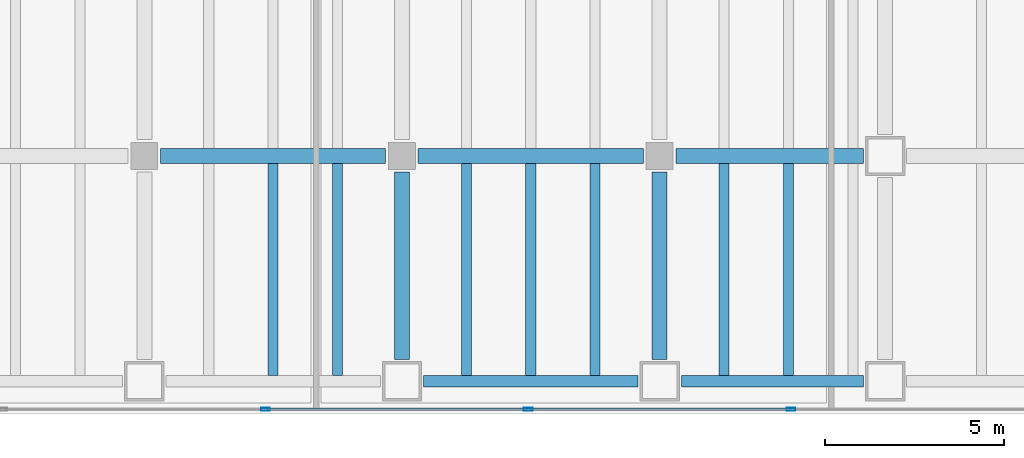
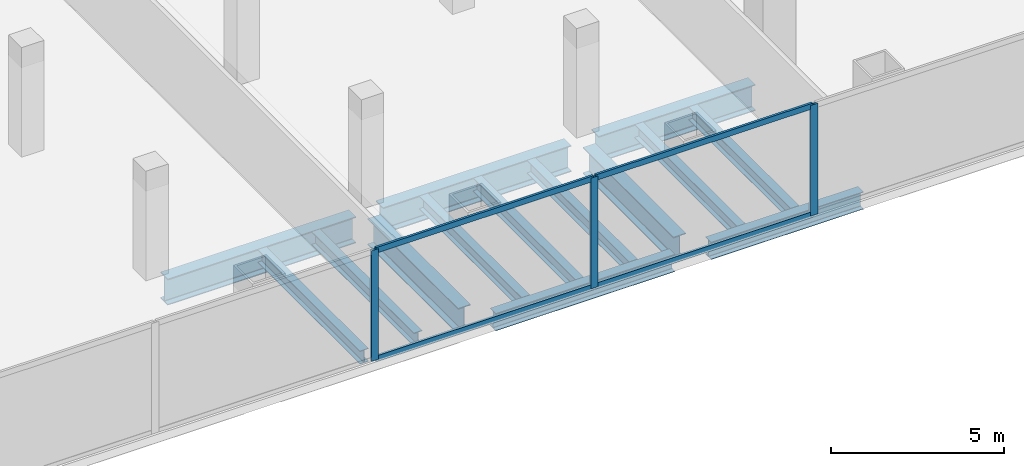
# One storey, part 5 of 28: 14 beams, 7 members, 1 element without a shape of its own.
"""IFC4 building model written with IfcOpenShell, lengths in metres."""

from ifc_helpers import new_model, si_unit, direction, frame, origin, origin_2d, place, context, subcontext, project, spatial, hollow_rectangle, i_section, extrude, material, material_profile, profile_set, type_object, element, aggregate, save


model = new_model("IFC4")

# Units and contexts
model_context = context("Model", 3, precision=1e-05, world=origin(), true_north=direction((0.0, 1.0)))
body_context = subcontext(model_context, "Body", "Model", "MODEL_VIEW")
ifc_project = project(units=[si_unit("LENGTHUNIT", "METRE"), si_unit("AREAUNIT", "SQUARE_METRE"), si_unit("VOLUMEUNIT", "CUBIC_METRE"), si_unit("PLANEANGLEUNIT", "RADIAN"), si_unit("MASSUNIT", "GRAM", prefix="KILO")], contexts=[model_context])

# Site, building, storey
site_placement = place(None, origin())
site = spatial("IfcSite", under=ifc_project, at=site_placement, CompositionType="ELEMENT")
building_placement = place(site_placement, origin())
building = spatial("IfcBuilding", under=site, at=building_placement, Name="Cobrela Telecom Tower", CompositionType="ELEMENT")
storey_placement = place(building_placement, frame((0.0, 0.0, 17.85009765625)))
storey = spatial("IfcBuildingStorey", under=building, at=storey_placement, Name="L04", CompositionType="ELEMENT", Elevation=17.85009765625)

# Beams
ifc_material_1 = material(Name="Steel ASTM A992 Grade 50", Category="steel")
ifc_material_profile_1 = material_profile(ifc_material_1, i_section(OverallWidth=0.4189453125, OverallDepth=0.927001953125, WebThickness=0.019287109375, FlangeThickness=0.031982421875, FilletRadius=0.02392578125, at=origin_2d()), Name="W36X231")
ifc_profile_set_1 = profile_set([ifc_material_profile_1], Name="Steel ASTM A992 Grade 50")
beam_type_1 = type_object("IfcBeamType", Name="BM-GIRD-02", PredefinedType="USERDEFINED", material=ifc_profile_set_1)
for number, where, z_axis, x_axis, name in (
    (1, (29.2548828125, 7.199951171875, -0.753662109375), (1.0, 0.0, 0.0), (0.0, 1.0, 0.0), "L04 Primary Girder X13"),
    (2, (36.455078125, 7.199951171875, -0.753662109375), (1.0, 0.0, 0.0), (0.0, 1.0, 0.0), "L04 Primary Girder X14"),
):
    element("IfcBeam", number, at=place(storey_placement, frame(where, z_axis=z_axis, x_axis=x_axis)), inside=storey, type_object=beam_type_1, Name=name, ObjectType="GIRDER", PredefinedType="USERDEFINED", context=body_context, shape_type="SweptSolid", body=[
        extrude(i_section(OverallWidth=0.4189453125, OverallDepth=0.927001953125, WebThickness=0.019287109375, FlangeThickness=0.031982421875, FilletRadius=0.02392578125, at=origin_2d()), origin(), (0.0, 0.0, 1.0), 6.2900390625),
    ])
beam_1_placement = place(storey_placement, frame((43.655029296875, 7.199951171875, -0.753662109375), z_axis=(1.0, 0.0, 0.0), x_axis=(0.0, 1.0, 0.0)))
element("IfcBeam", 3, at=beam_1_placement, inside=storey, type_object=beam_type_1, Name="L04 Primary Girder X15", ObjectType="GIRDER", PredefinedType="USERDEFINED", context=body_context, shape_type="SweptSolid", body=[
    extrude(i_section(OverallWidth=0.4189453125, OverallDepth=0.927001953125, WebThickness=0.019287109375, FlangeThickness=0.031982421875, FilletRadius=0.02392578125, at=origin_2d()), origin(), (0.0, 0.0, 1.0), 5.239990234375),
])
for number, where, z_axis, x_axis, name in (
    (4, (36.0, 1.5048828125, -0.753662109375), (0.0, 1.0, 0.0), (-1.0, 0.0, 0.0), "L04 Primary Girder Y71"),
    (5, (43.199951171875, 1.5048828125, -0.753662109375), (0.0, 1.0, 0.0), (-1.0, 0.0, 0.0), "L04 Primary Girder Y78"),
):
    element("IfcBeam", number, at=place(storey_placement, frame(where, z_axis=z_axis, x_axis=x_axis)), inside=storey, type_object=beam_type_1, Name=name, ObjectType="GIRDER", PredefinedType="USERDEFINED", context=body_context, shape_type="SweptSolid", body=[
        extrude(i_section(OverallWidth=0.4189453125, OverallDepth=0.927001953125, WebThickness=0.019287109375, FlangeThickness=0.031982421875, FilletRadius=0.02392578125, at=origin_2d()), origin(), (0.0, 0.0, 1.0), 5.240234375),
    ])
ifc_material_profile_2 = material_profile(ifc_material_1, i_section(OverallWidth=0.281982421875, OverallDepth=0.467041015625, WebThickness=0.01220703125, FlangeThickness=0.01953125, FilletRadius=0.012939453125, at=origin_2d()), Name="W18X86")
ifc_profile_set_2 = profile_set([ifc_material_profile_2], Name="Steel ASTM A992 Grade 50")
beam_type_2 = type_object("IfcBeamType", Name="BM-JOIST-02", PredefinedType="JOIST", material=ifc_profile_set_2)
for number, where, z_axis, x_axis, name in (
    (6, (32.39990234375, 1.0673828125, -0.523681640625), (0.0, 1.0, 0.0), (-1.0, 0.0, 0.0), "L04 Secondary Composite Floor Beam J58"),
    (7, (34.199951171875, 1.0673828125, -0.523681640625), (0.0, 1.0, 0.0), (-1.0, 0.0, 0.0), "L04 Secondary Composite Floor Beam J63"),
    (8, (37.800048828125, 1.0673828125, -0.523681640625), (0.0, 1.0, 0.0), (-1.0, 0.0, 0.0), "L04 Secondary Composite Floor Beam J70"),
    (9, (39.60009765625, 1.0673828125, -0.523681640625), (0.0, 1.0, 0.0), (-1.0, 0.0, 0.0), "L04 Secondary Composite Floor Beam J77"),
    (10, (41.39990234375, 1.0673828125, -0.523681640625), (0.0, 1.0, 0.0), (-1.0, 0.0, 0.0), "L04 Secondary Composite Floor Beam J84"),
    (11, (45.0, 1.0673828125, -0.523681640625), (0.0, 1.0, 0.0), (-1.0, 0.0, 0.0), "L04 Secondary Composite Floor Beam J91"),
    (12, (46.800048828125, 1.0673828125, -0.523681640625), (0.0, 1.0, 0.0), (-1.0, 0.0, 0.0), "L04 Secondary Composite Floor Beam J94"),
):
    element("IfcBeam", number, at=place(storey_placement, frame(where, z_axis=z_axis, x_axis=x_axis)), inside=storey, type_object=beam_type_2, Name=name, PredefinedType="JOIST", context=body_context, shape_type="SweptSolid", body=[
        extrude(i_section(OverallWidth=0.281982421875, OverallDepth=0.467041015625, WebThickness=0.01220703125, FlangeThickness=0.01953125, FilletRadius=0.012939453125, at=origin_2d()), origin(), (0.0, 0.0, 1.0), 5.918212890625),
    ])
ifc_material_profile_3 = material_profile(ifc_material_1, i_section(OverallWidth=0.324951171875, OverallDepth=0.612060546875, WebThickness=0.0126953125, FlangeThickness=0.01904296875, FilletRadius=0.014892578125, at=origin_2d()), Name="W24X104")
ifc_profile_set_3 = profile_set([ifc_material_profile_3], Name="Steel ASTM A992 Grade 50")
beam_type_3 = type_object("IfcBeamType", Name="BM-SPAND-02", PredefinedType="SPANDREL", material=ifc_profile_set_3)
beam_2_placement = place(storey_placement, frame((36.60498046875, 0.89990234375, -0.59619140625), z_axis=(1.0, 0.0, 0.0), x_axis=(0.0, 1.0, 0.0)))
element("IfcBeam", 13, at=beam_2_placement, inside=storey, type_object=beam_type_3, Name="L04 Perimeter Spandrel X04", PredefinedType="SPANDREL", context=body_context, shape_type="SweptSolid", body=[
    extrude(i_section(OverallWidth=0.324951171875, OverallDepth=0.612060546875, WebThickness=0.0126953125, FlangeThickness=0.01904296875, FilletRadius=0.014892578125, at=origin_2d()), origin(), (0.0, 0.0, 1.0), 5.989990234375),
])
beam_3_placement = place(storey_placement, frame((43.804931640625, 0.89990234375, -0.59619140625), z_axis=(1.0, 0.0, 0.0), x_axis=(0.0, 1.0, 0.0)))
element("IfcBeam", 14, at=beam_3_placement, inside=storey, type_object=beam_type_3, Name="L04 Perimeter Spandrel X05", PredefinedType="SPANDREL", context=body_context, shape_type="SweptSolid", body=[
    extrude(i_section(OverallWidth=0.324951171875, OverallDepth=0.612060546875, WebThickness=0.0126953125, FlangeThickness=0.01904296875, FilletRadius=0.014892578125, at=origin_2d()), origin(), (0.0, 0.0, 1.0), 5.090087890625),
])

# Curtain wall, members
ifc_material_2 = material(Name="Anodized Bronze Aluminium 6063-T6", Category="aluminium")
curtain_wall_type = type_object("IfcCurtainWallType", Name="CW-SYS-CONC", PredefinedType="USERDEFINED", material=ifc_material_2)
curtain_wall_placement = place(storey_placement, origin())
curtain_wall = element("IfcCurtainWall", 15, at=curtain_wall_placement, inside=storey, type_object=curtain_wall_type, Name="L04 Unitised Bronze Curtain Wall 17", ObjectType="UNITISED CURTAIN WALL", PredefinedType="USERDEFINED")
ifc_material_profile_4 = material_profile(ifc_material_2, hollow_rectangle(XDim=0.080078125, YDim=0.239990234375, WallThickness=0.0048828125, at=origin_2d()), Name="ALU 80x240x5")
ifc_profile_set_4 = profile_set([ifc_material_profile_4], Name="Anodized Bronze Aluminium 6063-T6")
member_type_1 = type_object("IfcMemberType", Name="CW-SYS-CONC-MUL", PredefinedType="MULLION", material=ifc_profile_set_4)
member_1_placement = place(storey_placement, frame((46.870849609375, 0.1201171875, 0.0), z_axis=(0.0, 0.0, 1.0), x_axis=(0.0, -1.0, 0.0)))
member_1 = element("IfcMember", 16, at=member_1_placement, type_object=member_type_1, Name="CW-CONC mullion 6", PredefinedType="MULLION", context=body_context, shape_type="SweptSolid", body=[
    extrude(hollow_rectangle(XDim=0.080078125, YDim=0.239990234375, WallThickness=0.0048828125, at=origin_2d()), origin(), (0.0, 0.0, 1.0), 3.909912109375),
])
member_2_placement = place(storey_placement, frame((39.529052734375, 0.1201171875, 0.0), z_axis=(0.0, 0.0, 1.0), x_axis=(0.0, -1.0, 0.0)))
member_2 = element("IfcMember", 17, at=member_2_placement, type_object=member_type_1, Name="CW-CONC mullion 7", PredefinedType="MULLION", context=body_context, shape_type="SweptSolid", body=[
    extrude(hollow_rectangle(XDim=0.080078125, YDim=0.239990234375, WallThickness=0.0048828125, at=origin_2d()), origin(), (0.0, 0.0, 1.0), 3.909912109375),
])
member_3_placement = place(storey_placement, frame((32.187255859375, 0.1201171875, 0.0), z_axis=(0.0, 0.0, 1.0), x_axis=(0.0, -1.0, 0.0)))
member_3 = element("IfcMember", 18, at=member_3_placement, type_object=member_type_1, Name="CW-CONC mullion 8", PredefinedType="MULLION", context=body_context, shape_type="SweptSolid", body=[
    extrude(hollow_rectangle(XDim=0.080078125, YDim=0.239990234375, WallThickness=0.0048828125, at=origin_2d()), origin(), (0.0, 0.0, 1.0), 3.909912109375),
])
ifc_material_profile_5 = material_profile(ifc_material_2, hollow_rectangle(XDim=0.080078125, YDim=0.199951171875, WallThickness=0.00390625, at=origin_2d()), Name="ALU 80x200x4")
ifc_profile_set_5 = profile_set([ifc_material_profile_5], Name="Anodized Bronze Aluminium 6063-T6")
member_type_2 = type_object("IfcMemberType", Name="CW-SYS-CONC-TRN", PredefinedType="USERDEFINED", material=ifc_profile_set_5)
member_4_placement = place(storey_placement, frame((46.830810546875, 0.1201171875, 0.039794921875), z_axis=(-1.0, 0.0, 0.0), x_axis=(0.0, -1.0, 0.0)))
member_4 = element("IfcMember", 19, at=member_4_placement, type_object=member_type_2, Name="CW-CONC transom 6.1", ObjectType="TRANSOM", PredefinedType="USERDEFINED", context=body_context, shape_type="SweptSolid", body=[
    extrude(hollow_rectangle(XDim=0.080078125, YDim=0.199951171875, WallThickness=0.00390625, at=origin_2d()), origin(), (0.0, 0.0, 1.0), 7.26171875),
])
member_5_placement = place(storey_placement, frame((46.830810546875, 0.1201171875, 3.869873046875), z_axis=(-1.0, 0.0, 0.0), x_axis=(0.0, -1.0, 0.0)))
member_5 = element("IfcMember", 20, at=member_5_placement, type_object=member_type_2, Name="CW-CONC transom 6.2", ObjectType="TRANSOM", PredefinedType="USERDEFINED", context=body_context, shape_type="SweptSolid", body=[
    extrude(hollow_rectangle(XDim=0.080078125, YDim=0.199951171875, WallThickness=0.00390625, at=origin_2d()), origin(), (0.0, 0.0, 1.0), 7.26171875),
])
member_6_placement = place(storey_placement, frame((39.489013671875, 0.1201171875, 0.039794921875), z_axis=(-1.0, 0.0, 0.0), x_axis=(0.0, -1.0, 0.0)))
member_6 = element("IfcMember", 21, at=member_6_placement, type_object=member_type_2, Name="CW-CONC transom 7.1", ObjectType="TRANSOM", PredefinedType="USERDEFINED", context=body_context, shape_type="SweptSolid", body=[
    extrude(hollow_rectangle(XDim=0.080078125, YDim=0.199951171875, WallThickness=0.00390625, at=origin_2d()), origin(), (0.0, 0.0, 1.0), 7.26171875),
])
member_7_placement = place(storey_placement, frame((39.489013671875, 0.1201171875, 3.869873046875), z_axis=(-1.0, 0.0, 0.0), x_axis=(0.0, -1.0, 0.0)))
member_7 = element("IfcMember", 22, at=member_7_placement, type_object=member_type_2, Name="CW-CONC transom 7.2", ObjectType="TRANSOM", PredefinedType="USERDEFINED", context=body_context, shape_type="SweptSolid", body=[
    extrude(hollow_rectangle(XDim=0.080078125, YDim=0.199951171875, WallThickness=0.00390625, at=origin_2d()), origin(), (0.0, 0.0, 1.0), 7.26171875),
])
aggregate(curtain_wall, [member_1, member_2, member_3, member_4, member_5, member_6, member_7])

save(model, "model.ifc")
